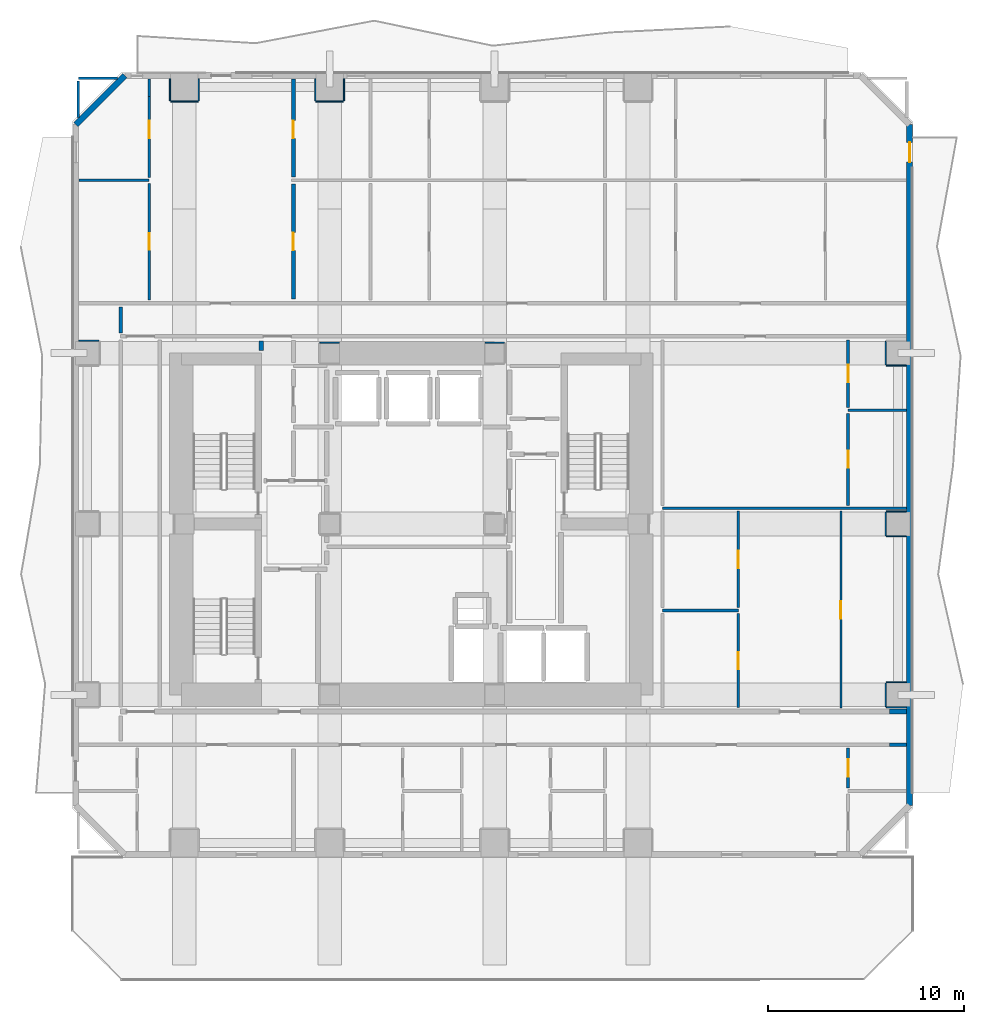
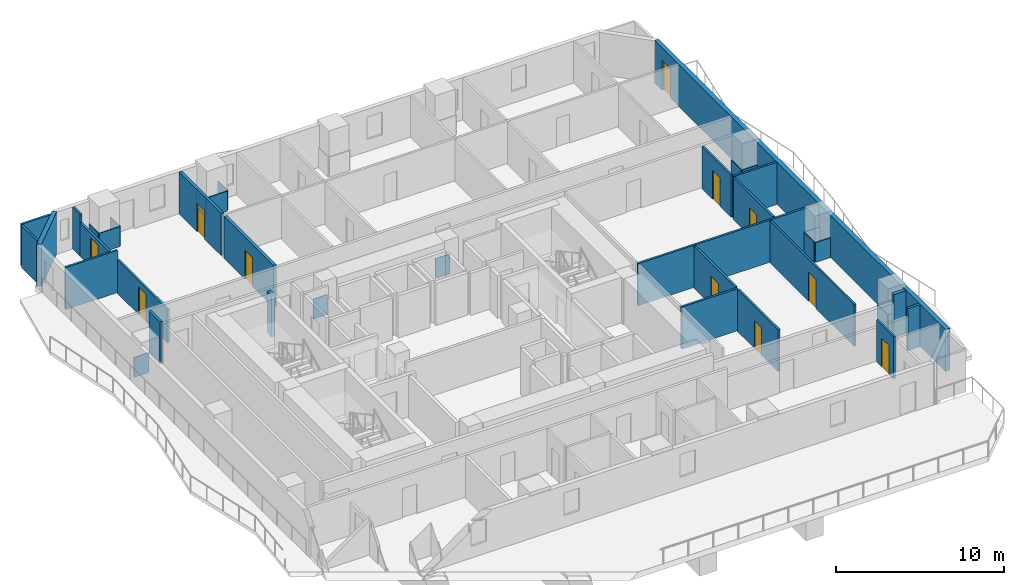
# One storey, part 5 of 11: 40 walls, 11 doors, 11 openings.
"""IFC4 building model written with IfcOpenShell, lengths in metres."""

from ifc_helpers import new_model, si_unit, direction, frame, frame_2d, origin, place, context, subcontext, project, spatial, rectangle, extrude, material, layer, layer_set, type_object, element, fill, save


model = new_model("IFC4")

# Units and contexts
model_context = context("Model", 3, precision=1e-05, world=origin(), true_north=direction((0.0, 1.0)))
body_context = subcontext(model_context, "Body", "Model", "MODEL_VIEW")
ifc_project = project(units=[si_unit("LENGTHUNIT", "METRE"), si_unit("AREAUNIT", "SQUARE_METRE"), si_unit("VOLUMEUNIT", "CUBIC_METRE"), si_unit("PLANEANGLEUNIT", "RADIAN"), si_unit("MASSUNIT", "GRAM", prefix="KILO")], contexts=[model_context])

# Site, building, storey
site_placement = place(None, origin())
site = spatial("IfcSite", under=ifc_project, at=site_placement, CompositionType="ELEMENT")
building_placement = place(site_placement, origin())
building = spatial("IfcBuilding", under=site, at=building_placement, Name="Solanera Arch Residences", CompositionType="ELEMENT")
storey_placement = place(building_placement, frame((0.0, 0.0, 61.840087890625)))
storey = spatial("IfcBuildingStorey", under=building, at=storey_placement, Name="L17", CompositionType="ELEMENT", Elevation=61.840087890625)

# Walls
ifc_material_1 = material(Name="Fire-Rated Gypsum Stud Partition", Category="gypsum")
ifc_layer_1 = layer(ifc_material_1, 0.06005859375)
ifc_layer_set_1 = layer_set([ifc_layer_1], Name="Fire-Rated Gypsum Stud Partition")
wall_type_1 = type_object("IfcWallType", Name="Column Acoustic Furring Wall 60", PredefinedType="PARTITIONING", material=ifc_layer_set_1)
for number, where, z_axis, x_axis, name in (
    (1, (20.300048828125, 39.931884765625, 0.0), (0.0, 0.0, 1.0), (1.0, 0.0, 0.0), "L17 Column Furring 3N"),
    (2, (28.7099609375, 39.931884765625, 0.0), (0.0, 0.0, 1.0), (1.0, 0.0, 0.0), "L17 Column Furring 4N"),
):
    element("IfcWall", number, at=place(storey_placement, frame(where, z_axis=z_axis, x_axis=x_axis)), inside=storey, type_object=wall_type_1, Name=name, PredefinedType="PARTITIONING", context=body_context, shape_type="SweptSolid", body=[
        extrude(rectangle(XDim=0.989990234375, YDim=0.06005859375, at=frame_2d((0.4951171875, 0.0))), origin(), (0.0, 0.0, 1.0), 1.449951171875),
    ])
wall_1_placement = place(storey_placement, frame((12.699951171875, 52.218017578125, 0.0), z_axis=(0.0, 0.0, 1.0), x_axis=(1.0, 0.0, 0.0)))
element("IfcWall", 3, at=wall_1_placement, inside=storey, type_object=wall_type_1, Name="L17 Column Furring 10S", PredefinedType="PARTITIONING", context=body_context, shape_type="SweptSolid", body=[
    extrude(rectangle(XDim=1.400146484375, YDim=0.06005859375, at=frame_2d((0.7001953125, 0.0))), origin(), (0.0, 0.0, 1.0), 1.449951171875),
])
for number, where, z_axis, x_axis, name in (
    (4, (12.66796875, 52.25, 0.0), (0.0, 0.0, 1.0), (0.0, 1.0, 0.0), "L17 Column Furring 10W"),
    (5, (14.132080078125, 52.25, 0.0), (0.0, 0.0, 1.0), (0.0, 1.0, 0.0), "L17 Column Furring 10E"),
):
    element("IfcWall", number, at=place(storey_placement, frame(where, z_axis=z_axis, x_axis=x_axis)), inside=storey, type_object=wall_type_1, Name=name, PredefinedType="PARTITIONING", context=body_context, shape_type="SweptSolid", body=[
        extrude(rectangle(XDim=1.1201171875, YDim=0.06005859375, at=frame_2d((0.56005859375, 0.0))), origin(), (0.0, 0.0, 1.0), 1.449951171875),
    ])
wall_2_placement = place(storey_placement, frame((20.10009765625, 52.218017578125, 0.0), z_axis=(0.0, 0.0, 1.0), x_axis=(1.0, 0.0, 0.0)))
element("IfcWall", 6, at=wall_2_placement, inside=storey, type_object=wall_type_1, Name="L17 Column Furring 12S", PredefinedType="PARTITIONING", context=body_context, shape_type="SweptSolid", body=[
    extrude(rectangle(XDim=1.39990234375, YDim=0.06005859375, at=frame_2d((0.699951171875, 0.0))), origin(), (0.0, 0.0, 1.0), 1.449951171875),
])
for number, where, z_axis, x_axis, name in (
    (7, (20.068115234375, 52.25, 0.0), (0.0, 0.0, 1.0), (0.0, 1.0, 0.0), "L17 Column Furring 12W"),
    (8, (21.531982421875, 52.25, 0.0), (0.0, 0.0, 1.0), (0.0, 1.0, 0.0), "L17 Column Furring 12E"),
):
    element("IfcWall", number, at=place(storey_placement, frame(where, z_axis=z_axis, x_axis=x_axis)), inside=storey, type_object=wall_type_1, Name=name, PredefinedType="PARTITIONING", context=body_context, shape_type="SweptSolid", body=[
        extrude(rectangle(XDim=1.1201171875, YDim=0.06005859375, at=frame_2d((0.56005859375, 0.0))), origin(), (0.0, 0.0, 1.0), 1.449951171875),
    ])
for number, where, z_axis, x_axis, name in (
    (9, (49.14990234375, 21.367919921875, 0.0), (0.0, 0.0, 1.0), (1.0, 0.0, 0.0), "L17 Column Furring 18S"),
    (10, (49.14990234375, 22.632080078125, 0.0), (0.0, 0.0, 1.0), (1.0, 0.0, 0.0), "L17 Column Furring 18N"),
):
    element("IfcWall", number, at=place(storey_placement, frame(where, z_axis=z_axis, x_axis=x_axis)), inside=storey, type_object=wall_type_1, Name=name, PredefinedType="PARTITIONING", context=body_context, shape_type="SweptSolid", body=[
        extrude(rectangle(XDim=1.02001953125, YDim=0.06005859375, at=frame_2d((0.510009765625, 0.0))), origin(), (0.0, 0.0, 1.0), 1.449951171875),
    ])
wall_3_placement = place(storey_placement, frame((49.117919921875, 21.39990234375, 0.0), z_axis=(0.0, 0.0, 1.0), x_axis=(0.0, 1.0, 0.0)))
element("IfcWall", 11, at=wall_3_placement, inside=storey, type_object=wall_type_1, Name="L17 Column Furring 18W", PredefinedType="PARTITIONING", context=body_context, shape_type="SweptSolid", body=[
    extrude(rectangle(XDim=1.2001953125, YDim=0.06005859375, at=frame_2d((0.60009765625, 0.0))), origin(), (0.0, 0.0, 1.0), 1.449951171875),
])
for number, where, z_axis, x_axis, name in (
    (12, (49.14990234375, 30.068115234375, 0.0), (0.0, 0.0, 1.0), (1.0, 0.0, 0.0), "L17 Column Furring 20S"),
    (13, (49.14990234375, 31.33203125, 0.0), (0.0, 0.0, 1.0), (1.0, 0.0, 0.0), "L17 Column Furring 20N"),
):
    element("IfcWall", number, at=place(storey_placement, frame(where, z_axis=z_axis, x_axis=x_axis)), inside=storey, type_object=wall_type_1, Name=name, PredefinedType="PARTITIONING", context=body_context, shape_type="SweptSolid", body=[
        extrude(rectangle(XDim=1.02001953125, YDim=0.06005859375, at=frame_2d((0.510009765625, 0.0))), origin(), (0.0, 0.0, 1.0), 1.449951171875),
    ])
wall_4_placement = place(storey_placement, frame((49.117919921875, 30.10009765625, 0.0), z_axis=(0.0, 0.0, 1.0), x_axis=(0.0, 1.0, 0.0)))
element("IfcWall", 14, at=wall_4_placement, inside=storey, type_object=wall_type_1, Name="L17 Column Furring 20W", PredefinedType="PARTITIONING", context=body_context, shape_type="SweptSolid", body=[
    extrude(rectangle(XDim=1.199951171875, YDim=0.06005859375, at=frame_2d((0.60009765625, 0.0))), origin(), (0.0, 0.0, 1.0), 1.449951171875),
])
for number, where, z_axis, x_axis, name in (
    (15, (8.030029296875, 40.031982421875, 0.0), (0.0, 0.0, 1.0), (1.0, 0.0, 0.0), "L17 Column Furring 21N"),
    (16, (49.14990234375, 38.76806640625, 0.0), (0.0, 0.0, 1.0), (1.0, 0.0, 0.0), "L17 Column Furring 22S"),
):
    element("IfcWall", number, at=place(storey_placement, frame(where, z_axis=z_axis, x_axis=x_axis)), inside=storey, type_object=wall_type_1, Name=name, PredefinedType="PARTITIONING", context=body_context, shape_type="SweptSolid", body=[
        extrude(rectangle(XDim=1.02001953125, YDim=0.06005859375, at=frame_2d((0.510009765625, 0.0))), origin(), (0.0, 0.0, 1.0), 1.449951171875),
    ])
wall_5_placement = place(storey_placement, frame((49.117919921875, 38.800048828125, 0.0), z_axis=(0.0, 0.0, 1.0), x_axis=(0.0, 1.0, 0.0)))
element("IfcWall", 17, at=wall_5_placement, inside=storey, type_object=wall_type_1, Name="L17 Column Furring 22W", PredefinedType="PARTITIONING", context=body_context, shape_type="SweptSolid", body=[
    extrude(rectangle(XDim=1.199951171875, YDim=0.06005859375, at=frame_2d((0.60009765625, 0.0))), origin(), (0.0, 0.0, 1.0), 1.449951171875),
])
ifc_material_2 = material(Name="Autoclaved Aerated Concrete Blockwork", Category="masonry")
ifc_layer_2 = layer(ifc_material_2, 0.179931640625)
ifc_layer_set_2 = layer_set([ifc_layer_2], Name="Autoclaved Aerated Concrete Blockwork")
wall_type_2 = type_object("IfcWallType", Name="Corridor Fire Partition 180", PredefinedType="PARTITIONING", material=ifc_layer_set_2)
wall_6_placement = place(storey_placement, frame((49.321044921875, 19.449951171875, 0.0), z_axis=(0.0, 0.0, 1.0), x_axis=(1.0, 0.0, 0.0)))
element("IfcWall", 18, at=wall_6_placement, inside=storey, type_object=wall_type_2, Name="L17 Interior Partition H7 3", PredefinedType="PARTITIONING", context=body_context, shape_type="SweptSolid", body=[
    extrude(rectangle(XDim=0.85205078125, YDim=0.179931640625, at=frame_2d((0.426025390625, 0.0))), origin(), (0.0, 0.0, 1.0), 3.059814453125),
])
wall_7_placement = place(storey_placement, frame((10.14990234375, 40.43798828125, 0.0), z_axis=(0.0, 0.0, 1.0), x_axis=(0.0, 1.0, 0.0)))
element("IfcWall", 19, at=wall_7_placement, inside=storey, type_object=wall_type_2, Name="L17 Interior Partition V9 3", PredefinedType="PARTITIONING", context=body_context, shape_type="SweptSolid", body=[
    extrude(rectangle(XDim=1.323974609375, YDim=0.179931640625, at=frame_2d((0.662109375, 0.0))), origin(), (0.0, 0.0, 1.0), 3.059814453125),
])
ifc_material_3 = material(Name="Precast Concrete C35/45", Category="concrete")
ifc_layer_3 = layer(ifc_material_3, 0.300048828125)
ifc_layer_set_3 = layer_set([ifc_layer_3], Name="Precast Concrete C35/45")
wall_type_3 = type_object("IfcWallType", Name="Exterior Wall Precast Masonry-Frame 300", PredefinedType="STANDARD", material=ifc_layer_set_3)
wall_8_placement = place(storey_placement, frame((7.864990234375, 51.034912109375, 0.0), z_axis=(0.0, 0.0, 1.0), x_axis=(0.707106781187, 0.707106781187, 0.0)))
element("IfcWall", 20, at=wall_8_placement, inside=storey, type_object=wall_type_3, Name="L17 Tower Exterior Precast Masonry-Frame Wall CH1", PredefinedType="STANDARD", context=body_context, shape_type="SweptSolid", body=[
    extrude(rectangle(XDim=3.53564453125, YDim=0.300048828125, at=frame_2d((1.767822265625, 0.0))), origin(), (0.0, 0.0, 1.0), 3.059814453125),
])

# Wall, opening, door
wall_9_placement = place(storey_placement, frame((50.3349609375, 51.034912109375, 0.0), z_axis=(0.0, 0.0, 1.0), x_axis=(0.0, -1.0, 0.0)))
wall_9 = element("IfcWall", 21, at=wall_9_placement, inside=storey, type_object=wall_type_3, Name="L17 Tower Exterior Precast Masonry-Frame Wall E", PredefinedType="STANDARD", context=body_context, shape_type="SweptSolid", body=[
    extrude(rectangle(XDim=34.669921875, YDim=0.300048828125, at=frame_2d((17.3349609375, 0.0))), origin(), (0.0, 0.0, 1.0), 3.059814453125),
])
opening_1_placement = place(wall_9_placement, frame((0.90087890625, 0.0, 0.0)))
opening_1 = element("IfcOpeningElement", 22, at=opening_1_placement, cuts=wall_9, Name="Opening DB-01", PredefinedType="OPENING", context=body_context, shape_type="SweptSolid", body=[
    extrude(rectangle(XDim=1.0, YDim=2.14990234375, at=frame_2d((0.5, 1.074951171875))), frame((0.0, 0.159912109375, 0.0), z_axis=(0.0, -1.0, 0.0), x_axis=(1.0, 0.0, 0.0)), (0.0, 0.0, 1.0), 0.32),
])
ifc_material_4 = material(Name="Anodised Aluminium Alloy 6063-T6", Category="aluminium")
door_type_1 = type_object("IfcDoorType", Name="Glazed Balcony Swing Door DB-01", OperationType="NOTDEFINED", PredefinedType="DOOR", material=ifc_material_4)
door_1_placement = place(opening_1_placement, origin())
door_1 = element("IfcDoor", 23, at=door_1_placement, inside=storey, type_object=door_type_1, Name="DR-L17-OUT-03", OperationType="SINGLE_SWING_LEFT", OverallHeight=2.14990234375, OverallWidth=1.0, PredefinedType="DOOR", context=body_context, shape_type="SweptSolid", body=[
    extrude(rectangle(XDim=1.0, YDim=2.14990234375, at=frame_2d((0.5, 1.074951171875))), frame((0.0, 0.02490234375, 0.0), z_axis=(0.0, -1.0, 0.0), x_axis=(1.0, 0.0, 0.0)), (0.0, 0.0, 1.0), 0.050048828125),
])
fill(opening_1, door_1)

ifc_material_5 = material(Name="Autoclaved Aerated Concrete Blockwork", Category="masonry")
ifc_layer_4 = layer(ifc_material_5, 0.199951171875)
ifc_layer_set_4 = layer_set([ifc_layer_4], Name="Autoclaved Aerated Concrete Blockwork")
wall_type_4 = type_object("IfcWallType", Name="Party Wall Acoustic 200", PredefinedType="PARTITIONING", material=ifc_layer_set_4)
wall_10_placement = place(storey_placement, frame((18.949951171875, 42.14794921875, 0.0), z_axis=(0.0, 0.0, 1.0), x_axis=(0.0, 1.0, 0.0)))
wall_10 = element("IfcWall", 24, at=wall_10_placement, inside=storey, type_object=wall_type_4, Name="L17 Interior Partition V8 1", PredefinedType="PARTITIONING", context=body_context, shape_type="SweptSolid", body=[
    extrude(rectangle(XDim=5.8740234375, YDim=0.199951171875, at=frame_2d((2.93701171875, 0.0))), origin(), (0.0, 0.0, 1.0), 3.059814453125),
])
opening_2_placement = place(wall_10_placement, frame((2.489990234375, 0.0, 0.0)))
opening_2 = element("IfcOpeningElement", 25, at=opening_2_placement, cuts=wall_10, Name="Opening DI-02", PredefinedType="OPENING", context=body_context, shape_type="SweptSolid", body=[
    extrude(rectangle(XDim=0.89990234375, YDim=2.10009765625, at=frame_2d((0.449951171875, 1.050048828125))), frame((0.0, 0.110107421875, 0.0), z_axis=(0.0, -1.0, 0.0), x_axis=(1.0, 0.0, 0.0)), (0.0, 0.0, 1.0), 0.22),
])
ifc_material_6 = material(Name="Fire-Rated Architectural Hardwood", Category="wood")
door_type_2 = type_object("IfcDoorType", Name="Suite Room Swing Door DI-02", OperationType="NOTDEFINED", PredefinedType="DOOR", material=ifc_material_6)
door_2_placement = place(opening_2_placement, origin())
door_2 = element("IfcDoor", 26, at=door_2_placement, inside=storey, type_object=door_type_2, Name="DR-L17-IN-030", OperationType="SINGLE_SWING_RIGHT", OverallHeight=2.10009765625, OverallWidth=0.89990234375, PredefinedType="DOOR", context=body_context, shape_type="SweptSolid", body=[
    extrude(rectangle(XDim=0.89990234375, YDim=2.10009765625, at=frame_2d((0.449951171875, 1.050048828125))), frame((0.0, 0.02490234375, 0.0), z_axis=(0.0, -1.0, 0.0), x_axis=(1.0, 0.0, 0.0)), (0.0, 0.0, 1.0), 0.050048828125),
])
fill(opening_2, door_2)

wall_11_placement = place(storey_placement, frame((18.949951171875, 48.3779296875, 0.0), z_axis=(0.0, 0.0, 1.0), x_axis=(0.0, 1.0, 0.0)))
wall_11 = element("IfcWall", 27, at=wall_11_placement, inside=storey, type_object=wall_type_4, Name="L17 Interior Partition V8 2", PredefinedType="PARTITIONING", context=body_context, shape_type="SweptSolid", body=[
    extrude(rectangle(XDim=4.9951171875, YDim=0.199951171875, at=frame_2d((2.49755859375, 0.0))), origin(), (0.0, 0.0, 1.0), 3.059814453125),
])
opening_3_placement = place(wall_11_placement, frame((1.958984375, 0.0, 0.0)))
opening_3 = element("IfcOpeningElement", 28, at=opening_3_placement, cuts=wall_11, Name="Opening DI-02", PredefinedType="OPENING", context=body_context, shape_type="SweptSolid", body=[
    extrude(rectangle(XDim=0.89990234375, YDim=2.10009765625, at=frame_2d((0.449951171875, 1.050048828125))), frame((0.0, 0.110107421875, 0.0), z_axis=(0.0, -1.0, 0.0), x_axis=(1.0, 0.0, 0.0)), (0.0, 0.0, 1.0), 0.22),
])
door_3_placement = place(opening_3_placement, origin())
door_3 = element("IfcDoor", 29, at=door_3_placement, inside=storey, type_object=door_type_2, Name="DR-L17-IN-031", OperationType="SINGLE_SWING_LEFT", OverallHeight=2.10009765625, OverallWidth=0.89990234375, PredefinedType="DOOR", context=body_context, shape_type="SweptSolid", body=[
    extrude(rectangle(XDim=0.89990234375, YDim=2.10009765625, at=frame_2d((0.449951171875, 1.050048828125))), frame((0.0, 0.02490234375, 0.0), z_axis=(0.0, -1.0, 0.0), x_axis=(1.0, 0.0, 0.0)), (0.0, 0.0, 1.0), 0.050048828125),
])
fill(opening_3, door_3)

# Walls
ifc_material_7 = material(Name="Autoclaved Aerated Concrete Blockwork", Category="masonry")
ifc_layer_5 = layer(ifc_material_7, 0.239990234375)
ifc_layer_set_5 = layer_set([ifc_layer_5], Name="Autoclaved Aerated Concrete Blockwork")
wall_type_5 = type_object("IfcWallType", Name="Shaft Wall Fire-Rated 240", PredefinedType="PARTITIONING", material=ifc_layer_set_5)
wall_12_placement = place(storey_placement, frame((49.321044921875, 21.14990234375, 0.0), z_axis=(0.0, 0.0, 1.0), x_axis=(1.0, 0.0, 0.0)))
element("IfcWall", 30, at=wall_12_placement, inside=storey, type_object=wall_type_5, Name="L17 Interior Partition H1 3", PredefinedType="PARTITIONING", context=body_context, shape_type="SweptSolid", body=[
    extrude(rectangle(XDim=0.85205078125, YDim=0.239990234375, at=frame_2d((0.426025390625, 0.0))), origin(), (0.0, 0.0, 1.0), 3.059814453125),
])
wall_13_placement = place(storey_placement, frame((17.320068359375, 39.530029296875, 0.0), z_axis=(0.0, 0.0, 1.0), x_axis=(0.0, 1.0, 0.0)))
element("IfcWall", 31, at=wall_13_placement, inside=storey, type_object=wall_type_5, Name="L17 Interior Partition V1", PredefinedType="PARTITIONING", context=body_context, shape_type="SweptSolid", body=[
    extrude(rectangle(XDim=0.501953125, YDim=0.239990234375, at=frame_2d((0.2509765625, 0.0))), origin(), (0.0, 0.0, 1.0), 3.059814453125),
])

# Wall, opening, door
ifc_material_8 = material(Name="Fire-Rated Gypsum Stud Partition", Category="gypsum")
ifc_layer_6 = layer(ifc_material_8, 0.1201171875)
ifc_layer_set_6 = layer_set([ifc_layer_6], Name="Fire-Rated Gypsum Stud Partition")
wall_type_6 = type_object("IfcWallType", Name="Unit Drywall Partition 120", PredefinedType="PARTITIONING", material=ifc_layer_set_6)
wall_14_placement = place(storey_placement, frame((46.839111328125, 21.337890625, 0.0), z_axis=(0.0, 0.0, 1.0), x_axis=(0.0, 1.0, 0.0)))
wall_14 = element("IfcWall", 32, at=wall_14_placement, inside=storey, type_object=wall_type_6, Name="L17 Interior Partition V29", PredefinedType="PARTITIONING", context=body_context, shape_type="SweptSolid", body=[
    extrude(rectangle(XDim=10.024169921875, YDim=0.1201171875, at=frame_2d((5.01220703125, 0.0))), origin(), (0.0, 0.0, 1.0), 3.059814453125),
])
opening_4_placement = place(wall_14_placement, frame((4.537109375, 0.0, 0.0)))
opening_4 = element("IfcOpeningElement", 33, at=opening_4_placement, cuts=wall_14, Name="Opening DI-02", PredefinedType="OPENING", context=body_context, shape_type="SweptSolid", body=[
    extrude(rectangle(XDim=0.89990234375, YDim=2.10009765625, at=frame_2d((0.449951171875, 1.050048828125))), frame((0.0, 0.070068359375, 0.0), z_axis=(0.0, -1.0, 0.0), x_axis=(1.0, 0.0, 0.0)), (0.0, 0.0, 1.0), 0.1401),
])
door_4_placement = place(opening_4_placement, origin())
door_4 = element("IfcDoor", 34, at=door_4_placement, inside=storey, type_object=door_type_2, Name="DR-L17-IN-045", OperationType="SINGLE_SWING_LEFT", OverallHeight=2.10009765625, OverallWidth=0.89990234375, PredefinedType="DOOR", context=body_context, shape_type="SweptSolid", body=[
    extrude(rectangle(XDim=0.89990234375, YDim=2.10009765625, at=frame_2d((0.449951171875, 1.050048828125))), frame((0.0, 0.02490234375, 0.0), z_axis=(0.0, -1.0, 0.0), x_axis=(1.0, 0.0, 0.0)), (0.0, 0.0, 1.0), 0.050048828125),
])
fill(opening_4, door_4)

# Walls
ifc_material_9 = material(Name="Autoclaved Aerated Concrete Blockwork", Category="masonry")
ifc_layer_7 = layer(ifc_material_9, 0.139892578125)
ifc_layer_set_7 = layer_set([ifc_layer_7], Name="Autoclaved Aerated Concrete Blockwork")
wall_type_7 = type_object("IfcWallType", Name="Wet-Room Partition 140", PredefinedType="PARTITIONING", material=ifc_layer_set_7)
wall_15_placement = place(storey_placement, frame((37.75, 26.300048828125, 0.0), z_axis=(0.0, 0.0, 1.0), x_axis=(1.0, 0.0, 0.0)))
element("IfcWall", 35, at=wall_15_placement, inside=storey, type_object=wall_type_7, Name="L17 Interior Partition H17", PredefinedType="PARTITIONING", context=body_context, shape_type="SweptSolid", body=[
    extrude(rectangle(XDim=3.860107421875, YDim=0.139892578125, at=frame_2d((1.93017578125, 0.0))), origin(), (0.0, 0.0, 1.0), 3.059814453125),
])
wall_16_placement = place(storey_placement, frame((37.75, 31.5, 0.0), z_axis=(0.0, 0.0, 1.0), x_axis=(1.0, 0.0, 0.0)))
element("IfcWall", 36, at=wall_16_placement, inside=storey, type_object=wall_type_7, Name="L17 Interior Partition H18", PredefinedType="PARTITIONING", context=body_context, shape_type="SweptSolid", body=[
    extrude(rectangle(XDim=12.423095703125, YDim=0.139892578125, at=frame_2d((6.21142578125, 0.0))), origin(), (0.0, 0.0, 1.0), 3.059814453125),
])
wall_17_placement = place(storey_placement, frame((47.199951171875, 36.487060546875, 0.0), z_axis=(0.0, 0.0, 1.0), x_axis=(1.0, 0.0, 0.0)))
element("IfcWall", 37, at=wall_17_placement, inside=storey, type_object=wall_type_7, Name="L17 Interior Partition H19", PredefinedType="PARTITIONING", context=body_context, shape_type="SweptSolid", body=[
    extrude(rectangle(XDim=2.97314453125, YDim=0.139892578125, at=frame_2d((1.486572265625, 0.0))), origin(), (0.0, 0.0, 1.0), 3.059814453125),
])
wall_18_placement = place(storey_placement, frame((8.027099609375, 48.199951171875, 0.0), z_axis=(0.0, 0.0, 1.0), x_axis=(1.0, 0.0, 0.0)))
element("IfcWall", 38, at=wall_18_placement, inside=storey, type_object=wall_type_7, Name="L17 Interior Partition H22", PredefinedType="PARTITIONING", context=body_context, shape_type="SweptSolid", body=[
    extrude(rectangle(XDim=3.576904296875, YDim=0.139892578125, at=frame_2d((1.78857421875, 0.0))), origin(), (0.0, 0.0, 1.0), 3.059814453125),
])
wall_19_placement = place(storey_placement, frame((8.0, 53.39990234375, 0.0), z_axis=(0.0, 0.0, 1.0), x_axis=(1.0, 0.0, 0.0)))
element("IfcWall", 39, at=wall_19_placement, inside=storey, type_object=wall_type_7, Name="L17 Interior Partition H24 1", PredefinedType="PARTITIONING", context=body_context, shape_type="SweptSolid", body=[
    extrude(rectangle(XDim=2.0009765625, YDim=0.139892578125, at=frame_2d((1.00048828125, 0.0))), origin(), (0.0, 0.0, 1.0), 3.059814453125),
])
wall_20_placement = place(storey_placement, frame((8.0, 51.39892578125, 0.0), z_axis=(0.0, 0.0, 1.0), x_axis=(0.0, 1.0, 0.0)))
element("IfcWall", 40, at=wall_20_placement, inside=storey, type_object=wall_type_7, Name="L17 Interior Partition V13", PredefinedType="PARTITIONING", context=body_context, shape_type="SweptSolid", body=[
    extrude(rectangle(XDim=1.85302734375, YDim=0.139892578125, at=frame_2d((0.926513671875, 0.0))), origin(), (0.0, 0.0, 1.0), 3.059814453125),
])

# Wall, opening, door
wall_21_placement = place(storey_placement, frame((11.60400390625, 42.117919921875, 0.0), z_axis=(0.0, 0.0, 1.0), x_axis=(0.0, 1.0, 0.0)))
wall_21 = element("IfcWall", 41, at=wall_21_placement, inside=storey, type_object=wall_type_7, Name="L17 Interior Partition V15 1", PredefinedType="PARTITIONING", context=body_context, shape_type="SweptSolid", body=[
    extrude(rectangle(XDim=5.93408203125, YDim=0.139892578125, at=frame_2d((2.967041015625, 0.0))), origin(), (0.0, 0.0, 1.0), 2.44482421875),
])
opening_5_placement = place(wall_21_placement, frame((2.5400390625, 0.0, 0.0)))
opening_5 = element("IfcOpeningElement", 42, at=opening_5_placement, cuts=wall_21, Name="Opening DI-05", PredefinedType="OPENING", context=body_context, shape_type="SweptSolid", body=[
    extrude(rectangle(XDim=0.860107421875, YDim=2.02001953125, at=frame_2d((0.43017578125, 1.010009765625))), frame((0.0, 0.079833984375, 0.0), z_axis=(0.0, -1.0, 0.0), x_axis=(1.0, 0.0, 0.0)), (0.0, 0.0, 1.0), 0.1599),
])
ifc_material_10 = material(Name="Fire-Rated Architectural Hardwood", Category="wood")
door_type_3 = type_object("IfcDoorType", Name="Bathroom Swing Door DI-05", OperationType="NOTDEFINED", PredefinedType="DOOR", material=ifc_material_10)
door_5_placement = place(opening_5_placement, origin())
door_5 = element("IfcDoor", 43, at=door_5_placement, inside=storey, type_object=door_type_3, Name="DR-L17-IN-028", OperationType="SINGLE_SWING_RIGHT", OverallHeight=2.02001953125, OverallWidth=0.860107421875, PredefinedType="DOOR", context=body_context, shape_type="SweptSolid", body=[
    extrude(rectangle(XDim=0.860107421875, YDim=2.02001953125, at=frame_2d((0.43017578125, 1.010009765625))), frame((0.0, 0.02490234375, 0.0), z_axis=(0.0, -1.0, 0.0), x_axis=(1.0, 0.0, 0.0)), (0.0, 0.0, 1.0), 0.050048828125),
])
fill(opening_5, door_5)

wall_22_placement = place(storey_placement, frame((11.60400390625, 48.347900390625, 0.0), z_axis=(0.0, 0.0, 1.0), x_axis=(0.0, 1.0, 0.0)))
wall_22 = element("IfcWall", 44, at=wall_22_placement, inside=storey, type_object=wall_type_7, Name="L17 Interior Partition V15 2", PredefinedType="PARTITIONING", context=body_context, shape_type="SweptSolid", body=[
    extrude(rectangle(XDim=4.135009765625, YDim=0.139892578125, at=frame_2d((2.0673828125, 0.0))), origin(), (0.0, 0.0, 1.0), 2.44482421875),
])
opening_6_placement = place(wall_22_placement, frame((1.989013671875, 0.0, 0.0)))
opening_6 = element("IfcOpeningElement", 45, at=opening_6_placement, cuts=wall_22, Name="Opening DI-03", PredefinedType="OPENING", context=body_context, shape_type="SweptSolid", body=[
    extrude(rectangle(XDim=0.89990234375, YDim=2.10009765625, at=frame_2d((0.449951171875, 1.050048828125))), frame((0.0, 0.079833984375, 0.0), z_axis=(0.0, -1.0, 0.0), x_axis=(1.0, 0.0, 0.0)), (0.0, 0.0, 1.0), 0.1599),
])
ifc_material_11 = material(Name="Fire-Rated Architectural Hardwood", Category="wood")
door_type_4 = type_object("IfcDoorType", Name="Bedroom Swing Door DI-03", OperationType="NOTDEFINED", PredefinedType="DOOR", material=ifc_material_11)
door_6_placement = place(opening_6_placement, origin())
door_6 = element("IfcDoor", 46, at=door_6_placement, inside=storey, type_object=door_type_4, Name="DR-L17-IN-029", OperationType="SINGLE_SWING_LEFT", OverallHeight=2.10009765625, OverallWidth=0.89990234375, PredefinedType="DOOR", context=body_context, shape_type="SweptSolid", body=[
    extrude(rectangle(XDim=0.89990234375, YDim=2.10009765625, at=frame_2d((0.449951171875, 1.050048828125))), frame((0.0, 0.02490234375, 0.0), z_axis=(0.0, -1.0, 0.0), x_axis=(1.0, 0.0, 0.0)), (0.0, 0.0, 1.0), 0.050048828125),
])
fill(opening_6, door_6)

# Wall
wall_23_placement = place(storey_placement, frame((11.60400390625, 52.48291015625, 0.0), z_axis=(0.0, 0.0, 1.0), x_axis=(0.0, 1.0, 0.0)))
element("IfcWall", 47, at=wall_23_placement, inside=storey, type_object=wall_type_7, Name="L17 Interior Partition V15 3", PredefinedType="PARTITIONING", context=body_context, shape_type="SweptSolid", body=[
    extrude(rectangle(XDim=0.89013671875, YDim=0.139892578125, at=frame_2d((0.445068359375, 0.0))), origin(), (0.0, 0.0, 1.0), 3.059814453125),
])

# Wall, opening, door
wall_24_placement = place(storey_placement, frame((41.610107421875, 21.347900390625, 0.0), z_axis=(0.0, 0.0, 1.0), x_axis=(0.0, 1.0, 0.0)))
wall_24 = element("IfcWall", 48, at=wall_24_placement, inside=storey, type_object=wall_type_7, Name="L17 Interior Partition V25 1", PredefinedType="PARTITIONING", context=body_context, shape_type="SweptSolid", body=[
    extrude(rectangle(XDim=4.80419921875, YDim=0.139892578125, at=frame_2d((2.402099609375, 0.0))), origin(), (0.0, 0.0, 1.0), 3.059814453125),
])
opening_7_placement = place(wall_24_placement, frame((1.9599609375, 0.0, 0.0)))
opening_7 = element("IfcOpeningElement", 49, at=opening_7_placement, cuts=wall_24, Name="Opening DI-05", PredefinedType="OPENING", context=body_context, shape_type="SweptSolid", body=[
    extrude(rectangle(XDim=0.860107421875, YDim=2.02001953125, at=frame_2d((0.43017578125, 1.010009765625))), frame((0.0, 0.079833984375, 0.0), z_axis=(0.0, -1.0, 0.0), x_axis=(1.0, 0.0, 0.0)), (0.0, 0.0, 1.0), 0.1599),
])
door_7_placement = place(opening_7_placement, origin())
door_7 = element("IfcDoor", 50, at=door_7_placement, inside=storey, type_object=door_type_3, Name="DR-L17-IN-043", OperationType="SINGLE_SWING_LEFT", OverallHeight=2.02001953125, OverallWidth=0.860107421875, PredefinedType="DOOR", context=body_context, shape_type="SweptSolid", body=[
    extrude(rectangle(XDim=0.860107421875, YDim=2.02001953125, at=frame_2d((0.43017578125, 1.010009765625))), frame((0.0, 0.02490234375, 0.0), z_axis=(0.0, -1.0, 0.0), x_axis=(1.0, 0.0, 0.0)), (0.0, 0.0, 1.0), 0.050048828125),
])
fill(opening_7, door_7)

wall_25_placement = place(storey_placement, frame((41.610107421875, 26.447998046875, 0.0), z_axis=(0.0, 0.0, 1.0), x_axis=(0.0, 1.0, 0.0)))
wall_25 = element("IfcWall", 51, at=wall_25_placement, inside=storey, type_object=wall_type_7, Name="L17 Interior Partition V25 2", PredefinedType="PARTITIONING", context=body_context, shape_type="SweptSolid", body=[
    extrude(rectangle(XDim=4.904052734375, YDim=0.139892578125, at=frame_2d((2.4521484375, 0.0))), origin(), (0.0, 0.0, 1.0), 3.059814453125),
])
opening_8_placement = place(wall_25_placement, frame((1.989013671875, 0.0, 0.0)))
opening_8 = element("IfcOpeningElement", 52, at=opening_8_placement, cuts=wall_25, Name="Opening DI-03", PredefinedType="OPENING", context=body_context, shape_type="SweptSolid", body=[
    extrude(rectangle(XDim=0.89990234375, YDim=2.10009765625, at=frame_2d((0.449951171875, 1.050048828125))), frame((0.0, 0.079833984375, 0.0), z_axis=(0.0, -1.0, 0.0), x_axis=(1.0, 0.0, 0.0)), (0.0, 0.0, 1.0), 0.1599),
])
door_8_placement = place(opening_8_placement, origin())
door_8 = element("IfcDoor", 53, at=door_8_placement, inside=storey, type_object=door_type_4, Name="DR-L17-IN-044", OperationType="SINGLE_SWING_RIGHT", OverallHeight=2.10009765625, OverallWidth=0.89990234375, PredefinedType="DOOR", context=body_context, shape_type="SweptSolid", body=[
    extrude(rectangle(XDim=0.89990234375, YDim=2.10009765625, at=frame_2d((0.449951171875, 1.050048828125))), frame((0.0, 0.02490234375, 0.0), z_axis=(0.0, -1.0, 0.0), x_axis=(1.0, 0.0, 0.0)), (0.0, 0.0, 1.0), 0.050048828125),
])
fill(opening_8, door_8)

wall_26_placement = place(storey_placement, frame((47.199951171875, 17.2548828125, 0.0), z_axis=(0.0, 0.0, 1.0), x_axis=(0.0, 1.0, 0.0)))
wall_26 = element("IfcWall", 54, at=wall_26_placement, inside=storey, type_object=wall_type_7, Name="L17 Interior Partition V26 2", PredefinedType="PARTITIONING", context=body_context, shape_type="SweptSolid", body=[
    extrude(rectangle(XDim=2.027099609375, YDim=0.139892578125, at=frame_2d((1.013671875, 0.0))), origin(), (0.0, 0.0, 1.0), 3.059814453125),
])
opening_9_placement = place(wall_26_placement, frame((0.56103515625, 0.0, 0.0)))
opening_9 = element("IfcOpeningElement", 55, at=opening_9_placement, cuts=wall_26, Name="Opening DI-02", PredefinedType="OPENING", context=body_context, shape_type="SweptSolid", body=[
    extrude(rectangle(XDim=0.89990234375, YDim=2.10009765625, at=frame_2d((0.449951171875, 1.050048828125))), frame((0.0, 0.079833984375, 0.0), z_axis=(0.0, -1.0, 0.0), x_axis=(1.0, 0.0, 0.0)), (0.0, 0.0, 1.0), 0.1599),
])
door_9_placement = place(opening_9_placement, origin())
door_9 = element("IfcDoor", 56, at=door_9_placement, inside=storey, type_object=door_type_2, Name="DR-L17-IN-025", OperationType="SINGLE_SWING_LEFT", OverallHeight=2.10009765625, OverallWidth=0.89990234375, PredefinedType="DOOR", context=body_context, shape_type="SweptSolid", body=[
    extrude(rectangle(XDim=0.89990234375, YDim=2.10009765625, at=frame_2d((0.449951171875, 1.050048828125))), frame((0.0, 0.02490234375, 0.0), z_axis=(0.0, -1.0, 0.0), x_axis=(1.0, 0.0, 0.0)), (0.0, 0.0, 1.0), 0.050048828125),
])
fill(opening_9, door_9)

wall_27_placement = place(storey_placement, frame((47.199951171875, 31.64794921875, 0.0), z_axis=(0.0, 0.0, 1.0), x_axis=(0.0, 1.0, 0.0)))
wall_27 = element("IfcWall", 57, at=wall_27_placement, inside=storey, type_object=wall_type_7, Name="L17 Interior Partition V27 1", PredefinedType="PARTITIONING", context=body_context, shape_type="SweptSolid", body=[
    extrude(rectangle(XDim=4.691162109375, YDim=0.139892578125, at=frame_2d((2.345703125, 0.0))), origin(), (0.0, 0.0, 1.0), 3.059814453125),
])
opening_10_placement = place(wall_27_placement, frame((1.927978515625, 0.0, 0.0)))
opening_10 = element("IfcOpeningElement", 58, at=opening_10_placement, cuts=wall_27, Name="Opening DI-05", PredefinedType="OPENING", context=body_context, shape_type="SweptSolid", body=[
    extrude(rectangle(XDim=0.860107421875, YDim=2.02001953125, at=frame_2d((0.43017578125, 1.010009765625))), frame((0.0, 0.079833984375, 0.0), z_axis=(0.0, -1.0, 0.0), x_axis=(1.0, 0.0, 0.0)), (0.0, 0.0, 1.0), 0.1599),
])
door_10_placement = place(opening_10_placement, origin())
door_10 = element("IfcDoor", 59, at=door_10_placement, inside=storey, type_object=door_type_3, Name="DR-L17-IN-048", OperationType="SINGLE_SWING_RIGHT", OverallHeight=2.02001953125, OverallWidth=0.860107421875, PredefinedType="DOOR", context=body_context, shape_type="SweptSolid", body=[
    extrude(rectangle(XDim=0.860107421875, YDim=2.02001953125, at=frame_2d((0.43017578125, 1.010009765625))), frame((0.0, 0.02490234375, 0.0), z_axis=(0.0, -1.0, 0.0), x_axis=(1.0, 0.0, 0.0)), (0.0, 0.0, 1.0), 0.050048828125),
])
fill(opening_10, door_10)

wall_28_placement = place(storey_placement, frame((47.199951171875, 36.635009765625, 0.0), z_axis=(0.0, 0.0, 1.0), x_axis=(0.0, 1.0, 0.0)))
wall_28 = element("IfcWall", 60, at=wall_28_placement, inside=storey, type_object=wall_type_7, Name="L17 Interior Partition V27 2", PredefinedType="PARTITIONING", context=body_context, shape_type="SweptSolid", body=[
    extrude(rectangle(XDim=3.447021484375, YDim=0.139892578125, at=frame_2d((1.7236328125, 0.0))), origin(), (0.0, 0.0, 1.0), 3.059814453125),
])
opening_11_placement = place(wall_28_placement, frame((1.27099609375, 0.0, 0.0)))
opening_11 = element("IfcOpeningElement", 61, at=opening_11_placement, cuts=wall_28, Name="Opening DI-02", PredefinedType="OPENING", context=body_context, shape_type="SweptSolid", body=[
    extrude(rectangle(XDim=0.89990234375, YDim=2.10009765625, at=frame_2d((0.449951171875, 1.050048828125))), frame((0.0, 0.079833984375, 0.0), z_axis=(0.0, -1.0, 0.0), x_axis=(1.0, 0.0, 0.0)), (0.0, 0.0, 1.0), 0.1599),
])
door_11_placement = place(opening_11_placement, origin())
door_11 = element("IfcDoor", 62, at=door_11_placement, inside=storey, type_object=door_type_2, Name="DR-L17-IN-047", OperationType="SINGLE_SWING_LEFT", OverallHeight=2.10009765625, OverallWidth=0.89990234375, PredefinedType="DOOR", context=body_context, shape_type="SweptSolid", body=[
    extrude(rectangle(XDim=0.89990234375, YDim=2.10009765625, at=frame_2d((0.449951171875, 1.050048828125))), frame((0.0, 0.02490234375, 0.0), z_axis=(0.0, -1.0, 0.0), x_axis=(1.0, 0.0, 0.0)), (0.0, 0.0, 1.0), 0.050048828125),
])
fill(opening_11, door_11)

save(model, "model.ifc")
